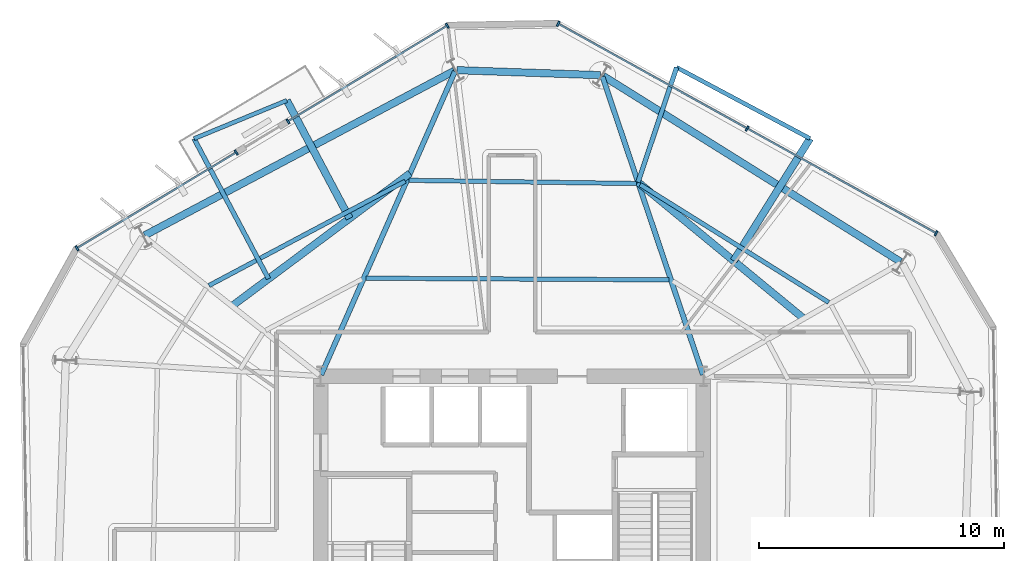
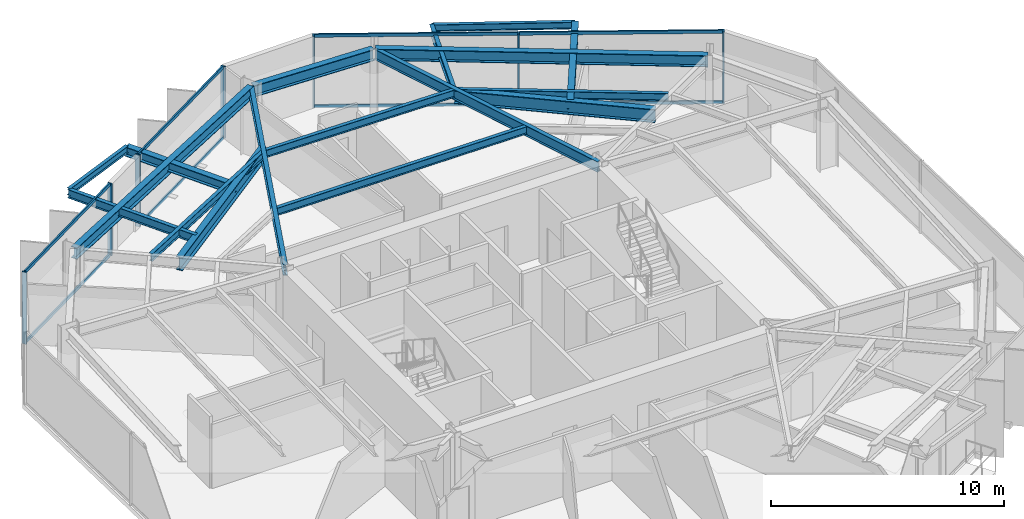
# One storey, part 5 of 11: 17 beams, 15 members, 3 elements without a shape of their own.
"""IFC4 building model written with IfcOpenShell, lengths in metres."""

from ifc_helpers import new_model, si_unit, direction, frame, origin, origin_2d, place, context, subcontext, project, spatial, rectangle, i_section, extrude, material, layer, layer_set, material_profile, profile_set, type_object, element, aggregate, save


model = new_model("IFC4")

# Units and contexts
model_context = context("Model", 3, precision=1e-05, world=origin(), true_north=direction((0.0, 1.0)))
body_context = subcontext(model_context, "Body", "Model", "MODEL_VIEW")
ifc_project = project(units=[si_unit("LENGTHUNIT", "METRE"), si_unit("AREAUNIT", "SQUARE_METRE"), si_unit("VOLUMEUNIT", "CUBIC_METRE"), si_unit("PLANEANGLEUNIT", "RADIAN"), si_unit("MASSUNIT", "GRAM", prefix="KILO")], contexts=[model_context])

# Site, building, storey
site_placement = place(None, origin())
site = spatial("IfcSite", under=ifc_project, at=site_placement, CompositionType="ELEMENT")
building_placement = place(site_placement, origin())
building = spatial("IfcBuilding", under=site, at=building_placement, Name="Kranzbogen Civic Tower", CompositionType="ELEMENT")
storey_placement = place(building_placement, frame((0.0, 0.0, 146.39990234375)))
storey = spatial("IfcBuildingStorey", under=building, at=storey_placement, Name="L35", CompositionType="ELEMENT", Elevation=146.39990234375)

# Beams
ifc_material_1 = material(Name="Steel S355", Category="steel")
ifc_material_profile_1 = material_profile(ifc_material_1, i_section(OverallWidth=0.18994140625, OverallDepth=0.449951171875, WebThickness=0.009521484375, FlangeThickness=0.0146484375, at=origin_2d()), Name="IPE 450")
ifc_profile_set_1 = profile_set([ifc_material_profile_1], Name="Steel S355")
beam_type_1 = type_object("IfcBeamType", Name="Braced Terrace Edge Beam IPE 450", PredefinedType="BEAM", material=ifc_profile_set_1)
beam_1_placement = place(storey_placement, frame((15.077880859375, 36.16796875, 3.525146484375), z_axis=(-0.46945330946, 0.882957298082, 0.0), x_axis=(-0.882957298082, -0.46945330946, 0.0)))
element("IfcBeam", 1, at=beam_1_placement, inside=storey, type_object=beam_type_1, Name="L36 back-spanned terrace beam L36-TB1-2", PredefinedType="BEAM", context=body_context, shape_type="SweptSolid", body=[
    extrude(i_section(OverallWidth=0.18994140625, OverallDepth=0.449951171875, WebThickness=0.009521484375, FlangeThickness=0.0146484375, at=origin_2d()), origin(), (0.0, 0.0, 1.0), 6.466796875),
])
beam_2_placement = place(storey_placement, frame((30.136962890625, 40.10498046875, 3.4951171875), z_axis=(0.318542054648, 0.947908729478, 0.0), x_axis=(-0.947908729478, 0.318542054648, 0.0)))
element("IfcBeam", 2, at=beam_2_placement, inside=storey, type_object=beam_type_1, Name="L36 back-spanned terrace beam L36-ST-2", PredefinedType="BEAM", context=body_context, shape_type="SweptSolid", body=[
    extrude(i_section(OverallWidth=0.18994140625, OverallDepth=0.449951171875, WebThickness=0.009521484375, FlangeThickness=0.0146484375, at=origin_2d()), origin(), (0.0, 0.0, 1.0), 4.93505859375),
])

# Curtain wall, members
ifc_material_2 = material(Name="Pale Anodised Aluminium", Category="aluminium")
ifc_layer = layer(ifc_material_2, 0.219970703125, Name="Pale Anodised Aluminium")
ifc_layer_set = layer_set([ifc_layer], Name="Pale Anodised Aluminium")
curtain_wall_type = type_object("IfcCurtainWallType", Name="Zone 2 Stick Curtain Wall System CW-03", PredefinedType="USERDEFINED", material=ifc_layer_set)
curtain_wall_1_placement = place(storey_placement, origin())
curtain_wall_1 = element("IfcCurtainWall", 3, at=curtain_wall_1_placement, inside=storey, type_object=curtain_wall_type, Name="L35 curtain wall CW-L35-F1", ObjectType="STICK CURTAIN WALL", PredefinedType="USERDEFINED")
ifc_material_profile_2 = material_profile(ifc_material_2, rectangle(XDim=0.074951171875, YDim=0.219970703125, at=origin_2d()), Name="ALU-M 75x220")
ifc_profile_set_2 = profile_set([ifc_material_profile_2], Name="Pale Anodised Aluminium")
member_type_1 = type_object("IfcMemberType", Name="Curtain Wall Mullion ALU-M 75x220", PredefinedType="MULLION", material=ifc_profile_set_2)
member_1_placement = place(storey_placement, frame((42.28564453125, 38.024658203125, 0.0), z_axis=(0.0, 0.0, 1.0), x_axis=(-0.874613413849, 0.484820973468, 0.0)))
member_1 = element("IfcMember", 4, at=member_1_placement, type_object=member_type_1, Name="CW-03 mullion 1", PredefinedType="MULLION", context=body_context, shape_type="SweptSolid", body=[
    extrude(rectangle(XDim=0.074951171875, YDim=0.219970703125, at=origin_2d()), origin(), (0.0, 0.0, 1.0), 3.760009765625),
])
member_2_placement = place(storey_placement, frame((34.58544921875, 42.29296875, 0.0), z_axis=(0.0, 0.0, 1.0), x_axis=(-0.874613413849, 0.484820973468, 0.0)))
member_2 = element("IfcMember", 5, at=member_2_placement, type_object=member_type_1, Name="CW-03 mullion 2", PredefinedType="MULLION", context=body_context, shape_type="SweptSolid", body=[
    extrude(rectangle(XDim=0.074951171875, YDim=0.219970703125, at=origin_2d()), origin(), (0.0, 0.0, 1.0), 3.760009765625),
])
member_3_placement = place(storey_placement, frame((26.88525390625, 46.5615234375, 0.0), z_axis=(0.0, 0.0, 1.0), x_axis=(-0.874613413849, 0.484820973468, 0.0)))
member_3 = element("IfcMember", 6, at=member_3_placement, type_object=member_type_1, Name="CW-03 mullion 3", PredefinedType="MULLION", context=body_context, shape_type="SweptSolid", body=[
    extrude(rectangle(XDim=0.074951171875, YDim=0.219970703125, at=origin_2d()), origin(), (0.0, 0.0, 1.0), 3.760009765625),
])

curtain_wall_2_placement = place(storey_placement, origin())
curtain_wall_2 = element("IfcCurtainWall", 7, at=curtain_wall_2_placement, inside=storey, type_object=curtain_wall_type, Name="L35 curtain wall CW-L35-F2-S1", ObjectType="STICK CURTAIN WALL", PredefinedType="USERDEFINED")
member_4_placement = place(storey_placement, frame((22.36328125, 46.482666015625, 0.0), z_axis=(0.0, 0.0, 1.0), x_axis=(-0.85716914484, -0.515035005738, 0.0)))
member_4 = element("IfcMember", 8, at=member_4_placement, type_object=member_type_1, Name="CW-03 mullion 1", PredefinedType="MULLION", context=body_context, shape_type="SweptSolid", body=[
    extrude(rectangle(XDim=0.074951171875, YDim=0.219970703125, at=origin_2d()), origin(), (0.0, 0.0, 1.0), 3.760009765625),
])
member_5_placement = place(storey_placement, frame((15.87060546875, 42.58154296875, 0.0), z_axis=(0.0, 0.0, 1.0), x_axis=(-0.85716914484, -0.515035005738, 0.0)))
member_5 = element("IfcMember", 9, at=member_5_placement, type_object=member_type_1, Name="CW-03 mullion 2", PredefinedType="MULLION", context=body_context, shape_type="SweptSolid", body=[
    extrude(rectangle(XDim=0.074951171875, YDim=0.219970703125, at=origin_2d()), origin(), (0.0, 0.0, 1.0), 3.760009765625),
])

curtain_wall_3_placement = place(storey_placement, origin())
curtain_wall_3 = element("IfcCurtainWall", 10, at=curtain_wall_3_placement, inside=storey, type_object=curtain_wall_type, Name="L35 curtain wall CW-L35-F2-S2", ObjectType="STICK CURTAIN WALL", PredefinedType="USERDEFINED")
member_6_placement = place(storey_placement, frame((13.76220703125, 41.314453125, 0.0), z_axis=(0.0, 0.0, 1.0), x_axis=(-0.857134393632, -0.515092837509, 0.0)))
member_6 = element("IfcMember", 11, at=member_6_placement, type_object=member_type_1, Name="CW-03 mullion 1", PredefinedType="MULLION", context=body_context, shape_type="SweptSolid", body=[
    extrude(rectangle(XDim=0.074951171875, YDim=0.219970703125, at=origin_2d()), origin(), (0.0, 0.0, 1.0), 3.760009765625),
])
member_7_placement = place(storey_placement, frame((7.270751953125, 37.41357421875, 0.0), z_axis=(0.0, 0.0, 1.0), x_axis=(-0.857134393632, -0.515092837509, 0.0)))
member_7 = element("IfcMember", 12, at=member_7_placement, type_object=member_type_1, Name="CW-03 mullion 2", PredefinedType="MULLION", context=body_context, shape_type="SweptSolid", body=[
    extrude(rectangle(XDim=0.074951171875, YDim=0.219970703125, at=origin_2d()), origin(), (0.0, 0.0, 1.0), 3.760009765625),
])

# Member
ifc_material_profile_3 = material_profile(ifc_material_2, rectangle(XDim=0.074951171875, YDim=0.1650390625, at=origin_2d()), Name="ALU-T 75x165")
ifc_profile_set_3 = profile_set([ifc_material_profile_3], Name="Pale Anodised Aluminium")
member_type_2 = type_object("IfcMemberType", Name="Curtain Wall Transom ALU-T 75x165", PredefinedType="USERDEFINED", material=ifc_profile_set_3)
member_8_placement = place(storey_placement, frame((42.259521484375, 38.0390625, 0.030029296875), z_axis=(-0.874604683596, 0.484836722447, 0.0), x_axis=(-0.484836722447, -0.874604683596, 0.0)))
member_8 = element("IfcMember", 13, at=member_8_placement, type_object=member_type_2, Name="CW-03 transom 1.1", ObjectType="TRANSOM", PredefinedType="USERDEFINED", context=body_context, shape_type="SweptSolid", body=[
    extrude(rectangle(XDim=0.074951171875, YDim=0.1650390625, at=origin_2d()), origin(), (0.0, 0.0, 1.0), 8.744140625),
])

member_9_placement = place(storey_placement, frame((42.259521484375, 38.0390625, 3.72998046875), z_axis=(-0.874604683596, 0.484836722447, 0.0), x_axis=(-0.484836722447, -0.874604683596, 0.0)))
member_9 = element("IfcMember", 14, at=member_9_placement, type_object=member_type_2, Name="CW-03 transom 1.2", ObjectType="TRANSOM", PredefinedType="USERDEFINED", context=body_context, shape_type="SweptSolid", body=[
    extrude(rectangle(XDim=0.074951171875, YDim=0.1650390625, at=origin_2d()), origin(), (0.0, 0.0, 1.0), 8.744140625),
])

member_10_placement = place(storey_placement, frame((34.559326171875, 42.3076171875, 0.030029296875), z_axis=(-0.874623085261, 0.484803525904, 0.0), x_axis=(-0.484803525904, -0.874623085261, 0.0)))
member_10 = element("IfcMember", 15, at=member_10_placement, type_object=member_type_2, Name="CW-03 transom 2.1", ObjectType="TRANSOM", PredefinedType="USERDEFINED", context=body_context, shape_type="SweptSolid", body=[
    extrude(rectangle(XDim=0.074951171875, YDim=0.1650390625, at=origin_2d()), origin(), (0.0, 0.0, 1.0), 8.744384765625),
])

member_11_placement = place(storey_placement, frame((34.559326171875, 42.3076171875, 3.72998046875), z_axis=(-0.874623085261, 0.484803525904, 0.0), x_axis=(-0.484803525904, -0.874623085261, 0.0)))
member_11 = element("IfcMember", 16, at=member_11_placement, type_object=member_type_2, Name="CW-03 transom 2.2", ObjectType="TRANSOM", PredefinedType="USERDEFINED", context=body_context, shape_type="SweptSolid", body=[
    extrude(rectangle(XDim=0.074951171875, YDim=0.1650390625, at=origin_2d()), origin(), (0.0, 0.0, 1.0), 8.744384765625),
])

aggregate(curtain_wall_1, [member_1, member_2, member_3, member_8, member_9, member_10, member_11])

member_12_placement = place(storey_placement, frame((22.337646484375, 46.467041015625, 0.030029296875), z_axis=(-0.857174554209, -0.515026002855, 0.0), x_axis=(0.515026002855, -0.857174554209, 0.0)))
member_12 = element("IfcMember", 17, at=member_12_placement, type_object=member_type_2, Name="CW-03 transom 1.1", ObjectType="TRANSOM", PredefinedType="USERDEFINED", context=body_context, shape_type="SweptSolid", body=[
    extrude(rectangle(XDim=0.074951171875, YDim=0.1650390625, at=origin_2d()), origin(), (0.0, 0.0, 1.0), 7.514404296875),
])

member_13_placement = place(storey_placement, frame((22.337646484375, 46.467041015625, 3.72998046875), z_axis=(-0.857174554209, -0.515026002855, 0.0), x_axis=(0.515026002855, -0.857174554209, 0.0)))
member_13 = element("IfcMember", 18, at=member_13_placement, type_object=member_type_2, Name="CW-03 transom 1.2", ObjectType="TRANSOM", PredefinedType="USERDEFINED", context=body_context, shape_type="SweptSolid", body=[
    extrude(rectangle(XDim=0.074951171875, YDim=0.1650390625, at=origin_2d()), origin(), (0.0, 0.0, 1.0), 7.514404296875),
])

aggregate(curtain_wall_2, [member_4, member_5, member_12, member_13])

member_14_placement = place(storey_placement, frame((13.736572265625, 41.299072265625, 0.030029296875), z_axis=(-0.857140076693, -0.515083380558, 0.0), x_axis=(0.515083380558, -0.857140076693, 0.0)))
member_14 = element("IfcMember", 19, at=member_14_placement, type_object=member_type_2, Name="CW-03 transom 1.1", ObjectType="TRANSOM", PredefinedType="USERDEFINED", context=body_context, shape_type="SweptSolid", body=[
    extrude(rectangle(XDim=0.074951171875, YDim=0.1650390625, at=origin_2d()), origin(), (0.0, 0.0, 1.0), 7.513671875),
])

member_15_placement = place(storey_placement, frame((13.736572265625, 41.299072265625, 3.72998046875), z_axis=(-0.857140076693, -0.515083380558, 0.0), x_axis=(0.515083380558, -0.857140076693, 0.0)))
member_15 = element("IfcMember", 20, at=member_15_placement, type_object=member_type_2, Name="CW-03 transom 1.2", ObjectType="TRANSOM", PredefinedType="USERDEFINED", context=body_context, shape_type="SweptSolid", body=[
    extrude(rectangle(XDim=0.074951171875, YDim=0.1650390625, at=origin_2d()), origin(), (0.0, 0.0, 1.0), 7.513671875),
])

aggregate(curtain_wall_3, [member_6, member_7, member_14, member_15])

# Beams
ifc_material_profile_4 = material_profile(ifc_material_1, i_section(OverallWidth=0.300048828125, OverallDepth=0.5, WebThickness=0.014404296875, FlangeThickness=0.028076171875, at=origin_2d()), Name="HEB 500")
ifc_profile_set_4 = profile_set([ifc_material_profile_4], Name="Steel S355")
beam_type_2 = type_object("IfcBeamType", Name="Perimeter Tube Spandrel Beam HEB 500", PredefinedType="SPANDREL", material=ifc_profile_set_4)
beam_3_placement = place(storey_placement, frame((18.3798828125, 38.6279296875, 3.5), z_axis=(-0.46945902252, 0.882954260523, 0.0), x_axis=(-0.882954260523, -0.46945902252, 0.0)))
element("IfcBeam", 21, at=beam_3_placement, inside=storey, type_object=beam_type_2, Name="L36 back-spanned terrace beam L36-TB1-1", PredefinedType="SPANDREL", context=body_context, shape_type="SweptSolid", body=[
    extrude(i_section(OverallWidth=0.300048828125, OverallDepth=0.5, WebThickness=0.014404296875, FlangeThickness=0.028076171875, at=origin_2d()), origin(), (0.0, 0.0, 1.0), 5.4443359375),
])
beam_4_placement = place(storey_placement, frame((34.031005859375, 36.89990234375, 3.47021484375), z_axis=(0.529987738606, 0.848005304776, 0.0), x_axis=(-0.848005304776, 0.529987738606, 0.0)))
element("IfcBeam", 22, at=beam_4_placement, inside=storey, type_object=beam_type_2, Name="L36 back-spanned terrace beam L36-ST-1", PredefinedType="SPANDREL", context=body_context, shape_type="SweptSolid", body=[
    extrude(i_section(OverallWidth=0.300048828125, OverallDepth=0.5, WebThickness=0.014404296875, FlangeThickness=0.028076171875, at=origin_2d()), origin(), (0.0, 0.0, 1.0), 5.87744140625),
])
ifc_material_profile_5 = material_profile(ifc_material_1, i_section(OverallWidth=0.300048828125, OverallDepth=0.60009765625, WebThickness=0.015380859375, FlangeThickness=0.030029296875, at=origin_2d()), Name="HEB 600")
ifc_profile_set_5 = profile_set([ifc_material_profile_5], Name="Steel S355")
beam_type_3 = type_object("IfcBeamType", Name="Perimeter Tube Spandrel Beam HEB 600", PredefinedType="SPANDREL", material=ifc_profile_set_5)
beam_5_placement = place(storey_placement, frame((40.8349609375, 36.861083984375, 3.460205078125), z_axis=(-0.848051101349, 0.52991445489, 0.0), x_axis=(-0.52991445489, -0.848051101349, 0.0)))
element("IfcBeam", 23, at=beam_5_placement, inside=storey, type_object=beam_type_3, Name="L35 perimeter spandrel beam 08", PredefinedType="SPANDREL", context=body_context, shape_type="SweptSolid", body=[
    extrude(i_section(OverallWidth=0.300048828125, OverallDepth=0.60009765625, WebThickness=0.015380859375, FlangeThickness=0.030029296875, at=origin_2d()), origin(), (0.0, 0.0, 1.0), 14.286865234375),
])
beam_6_placement = place(storey_placement, frame((28.60791015625, 44.466064453125, 3.460205078125), z_axis=(-0.999393148233, 0.03483296234, 0.0), x_axis=(-0.03483296234, -0.999393148233, 0.0)))
element("IfcBeam", 24, at=beam_6_placement, inside=storey, type_object=beam_type_3, Name="L35 perimeter spandrel beam 09", PredefinedType="SPANDREL", context=body_context, shape_type="SweptSolid", body=[
    extrude(i_section(OverallWidth=0.300048828125, OverallDepth=0.60009765625, WebThickness=0.015380859375, FlangeThickness=0.030029296875, at=origin_2d()), origin(), (0.0, 0.0, 1.0), 5.8525390625),
])
beam_7_placement = place(storey_placement, frame((22.64599609375, 44.64404296875, 3.460205078125), z_axis=(-0.882948194046, -0.469470432116, 0.0), x_axis=(0.469470432116, -0.882948194046, 0.0)))
element("IfcBeam", 25, at=beam_7_placement, inside=storey, type_object=beam_type_3, Name="L35 perimeter spandrel beam 10", PredefinedType="SPANDREL", context=body_context, shape_type="SweptSolid", body=[
    extrude(i_section(OverallWidth=0.300048828125, OverallDepth=0.60009765625, WebThickness=0.015380859375, FlangeThickness=0.030029296875, at=origin_2d()), origin(), (0.0, 0.0, 1.0), 14.28857421875),
])
ifc_material_profile_6 = material_profile(ifc_material_1, i_section(OverallWidth=0.300048828125, OverallDepth=0.699951171875, WebThickness=0.01708984375, FlangeThickness=0.031982421875, at=origin_2d()), Name="HEB 700")
ifc_profile_set_6 = profile_set([ifc_material_profile_6], Name="Steel S355")
beam_type_4 = type_object("IfcBeamType", Name="Perimeter Tube Spandrel Beam HEB 700", PredefinedType="SPANDREL", material=ifc_profile_set_6)
beam_8_placement = place(storey_placement, frame((20.843017578125, 40.462890625, 3.400146484375), z_axis=(-0.801896259305, -0.597463295369, 0.0), x_axis=(0.597463295369, -0.801896259305, 0.0)))
element("IfcBeam", 26, at=beam_8_placement, inside=storey, type_object=beam_type_4, Name="L36 balcony back-span header girder L36-TB1", PredefinedType="SPANDREL", context=body_context, shape_type="SweptSolid", body=[
    extrude(i_section(OverallWidth=0.300048828125, OverallDepth=0.699951171875, WebThickness=0.01708984375, FlangeThickness=0.031982421875, at=origin_2d()), origin(), (0.0, 0.0, 1.0), 9.0498046875),
])
beam_9_placement = place(storey_placement, frame((36.89404296875, 34.5439453125, 3.3701171875), z_axis=(-0.772133132713, 0.635460797663, 0.0), x_axis=(-0.635460797663, -0.772133132713, 0.0)))
element("IfcBeam", 27, at=beam_9_placement, inside=storey, type_object=beam_type_4, Name="L36 balcony back-span header girder L36-ST", PredefinedType="SPANDREL", context=body_context, shape_type="SweptSolid", body=[
    extrude(i_section(OverallWidth=0.300048828125, OverallDepth=0.699951171875, WebThickness=0.01708984375, FlangeThickness=0.031982421875, at=origin_2d()), origin(), (0.0, 0.0, 1.0), 8.751220703125),
])
ifc_material_profile_7 = material_profile(ifc_material_1, i_section(OverallWidth=0.2099609375, OverallDepth=0.550048828125, WebThickness=0.010986328125, FlangeThickness=0.01708984375, at=origin_2d()), Name="IPE 550")
ifc_profile_set_7 = profile_set([ifc_material_profile_7], Name="Steel S355")
beam_type_5 = type_object("IfcBeamType", Name="Radial Tower Floor Girder IPE 550", PredefinedType="BEAM", material=ifc_profile_set_7)
beam_10_placement = place(storey_placement, frame((28.68701171875, 44.406982421875, 3.485107421875), z_axis=(0.319316617377, -0.947648087566, 0.0), x_axis=(0.947648087566, 0.319316617377, 0.0)))
element("IfcBeam", 28, at=beam_10_placement, inside=storey, type_object=beam_type_5, Name="L35 radial floor girder 09", PredefinedType="BEAM", context=body_context, shape_type="SweptSolid", body=[
    extrude(i_section(OverallWidth=0.2099609375, OverallDepth=0.550048828125, WebThickness=0.010986328125, FlangeThickness=0.01708984375, at=origin_2d()), origin(), (0.0, 0.0, 1.0), 12.821044921875),
])
beam_11_placement = place(storey_placement, frame((22.675048828125, 44.616943359375, 3.485107421875), z_axis=(-0.403459127705, -0.914997667905, 0.0), x_axis=(0.914997667905, -0.403459127705, 0.0)))
element("IfcBeam", 29, at=beam_11_placement, inside=storey, type_object=beam_type_5, Name="L35 radial floor girder 10", PredefinedType="BEAM", context=body_context, shape_type="SweptSolid", body=[
    extrude(i_section(OverallWidth=0.2099609375, OverallDepth=0.550048828125, WebThickness=0.010986328125, FlangeThickness=0.01708984375, at=origin_2d()), origin(), (0.0, 0.0, 1.0), 13.510498046875),
])
ifc_material_profile_8 = material_profile(ifc_material_1, i_section(OverallWidth=0.169921875, OverallDepth=0.360107421875, WebThickness=0.008056640625, FlangeThickness=0.0126953125, at=origin_2d()), Name="IPE 360")
ifc_profile_set_8 = profile_set([ifc_material_profile_8], Name="Steel S355")
beam_type_6 = type_object("IfcBeamType", Name="Secondary Composite Floor Joist IPE 360", PredefinedType="JOIST", material=ifc_profile_set_8)
beam_12_placement = place(storey_placement, frame((15.823974609375, 43.43505859375, 3.570068359375), z_axis=(-0.924691696401, -0.380716780043, 0.0), x_axis=(0.380716780043, -0.924691696401, 0.0)))
element("IfcBeam", 30, at=beam_12_placement, inside=storey, type_object=beam_type_6, Name="L36 terrace outer edge trimmer L36-TB1", PredefinedType="JOIST", context=body_context, shape_type="SweptSolid", body=[
    extrude(i_section(OverallWidth=0.169921875, OverallDepth=0.360107421875, WebThickness=0.008056640625, FlangeThickness=0.0126953125, at=origin_2d()), origin(), (0.0, 0.0, 1.0), 4.090087890625),
])
beam_13_placement = place(storey_placement, frame((37.14599609375, 41.884033203125, 3.5400390625), z_axis=(-0.882407776929, 0.470485403828, 0.0), x_axis=(-0.470485403828, -0.882407776929, 0.0)))
element("IfcBeam", 31, at=beam_13_placement, inside=storey, type_object=beam_type_6, Name="L36 terrace outer edge trimmer L36-ST", PredefinedType="JOIST", context=body_context, shape_type="SweptSolid", body=[
    extrude(i_section(OverallWidth=0.169921875, OverallDepth=0.360107421875, WebThickness=0.008056640625, FlangeThickness=0.0126953125, at=origin_2d()), origin(), (0.0, 0.0, 1.0), 6.16162109375),
])
ifc_material_profile_9 = material_profile(ifc_material_1, i_section(OverallWidth=0.179931640625, OverallDepth=0.39990234375, WebThickness=0.008544921875, FlangeThickness=0.013427734375, at=origin_2d()), Name="IPE 400")
ifc_profile_set_9 = profile_set([ifc_material_profile_9], Name="Steel S355")
beam_type_7 = type_object("IfcBeamType", Name="Secondary Composite Floor Joist IPE 400", PredefinedType="JOIST", material=ifc_profile_set_9)
beam_14_placement = place(storey_placement, frame((37.906982421875, 35.205078125, 3.56005859375), z_axis=(-0.848025549308, 0.529955345026, 0.0), x_axis=(-0.529955345026, -0.848025549308, 0.0)))
element("IfcBeam", 32, at=beam_14_placement, inside=storey, type_object=beam_type_7, Name="L35 secondary floor joist 1.08", PredefinedType="JOIST", context=body_context, shape_type="SweptSolid", body=[
    extrude(i_section(OverallWidth=0.179931640625, OverallDepth=0.39990234375, WebThickness=0.008544921875, FlangeThickness=0.013427734375, at=origin_2d()), origin(), (0.0, 0.0, 1.0), 9.06103515625),
])
beam_15_placement = place(storey_placement, frame((30.075927734375, 40.050048828125, 3.56005859375), z_axis=(-0.999900525148, 0.014104602386, 0.0), x_axis=(-0.014104602386, -0.999900525148, 0.0)))
element("IfcBeam", 33, at=beam_15_placement, inside=storey, type_object=beam_type_7, Name="L35 secondary floor joist 1.09", PredefinedType="JOIST", context=body_context, shape_type="SweptSolid", body=[
    extrude(i_section(OverallWidth=0.179931640625, OverallDepth=0.39990234375, WebThickness=0.008544921875, FlangeThickness=0.013427734375, at=origin_2d()), origin(), (0.0, 0.0, 1.0), 9.27783203125),
])
beam_16_placement = place(storey_placement, frame((31.39794921875, 36.125, 3.56005859375), z_axis=(-0.999985774147, 0.005333995002, 0.0), x_axis=(-0.005333995002, -0.999985774147, 0.0)))
element("IfcBeam", 34, at=beam_16_placement, inside=storey, type_object=beam_type_7, Name="L35 secondary floor joist 2.09", PredefinedType="JOIST", context=body_context, shape_type="SweptSolid", body=[
    extrude(i_section(OverallWidth=0.179931640625, OverallDepth=0.39990234375, WebThickness=0.008544921875, FlangeThickness=0.013427734375, at=origin_2d()), origin(), (0.0, 0.0, 1.0), 12.358154296875),
])
beam_17_placement = place(storey_placement, frame((20.64892578125, 40.14501953125, 3.56005859375), z_axis=(-0.882960787661, -0.469446746131, 0.0), x_axis=(0.469446746131, -0.882960787661, 0.0)))
element("IfcBeam", 35, at=beam_17_placement, inside=storey, type_object=beam_type_7, Name="L35 secondary floor joist 1.10", PredefinedType="JOIST", context=body_context, shape_type="SweptSolid", body=[
    extrude(i_section(OverallWidth=0.179931640625, OverallDepth=0.39990234375, WebThickness=0.008544921875, FlangeThickness=0.013427734375, at=origin_2d()), origin(), (0.0, 0.0, 1.0), 9.0615234375),
])

save(model, "model.ifc")
